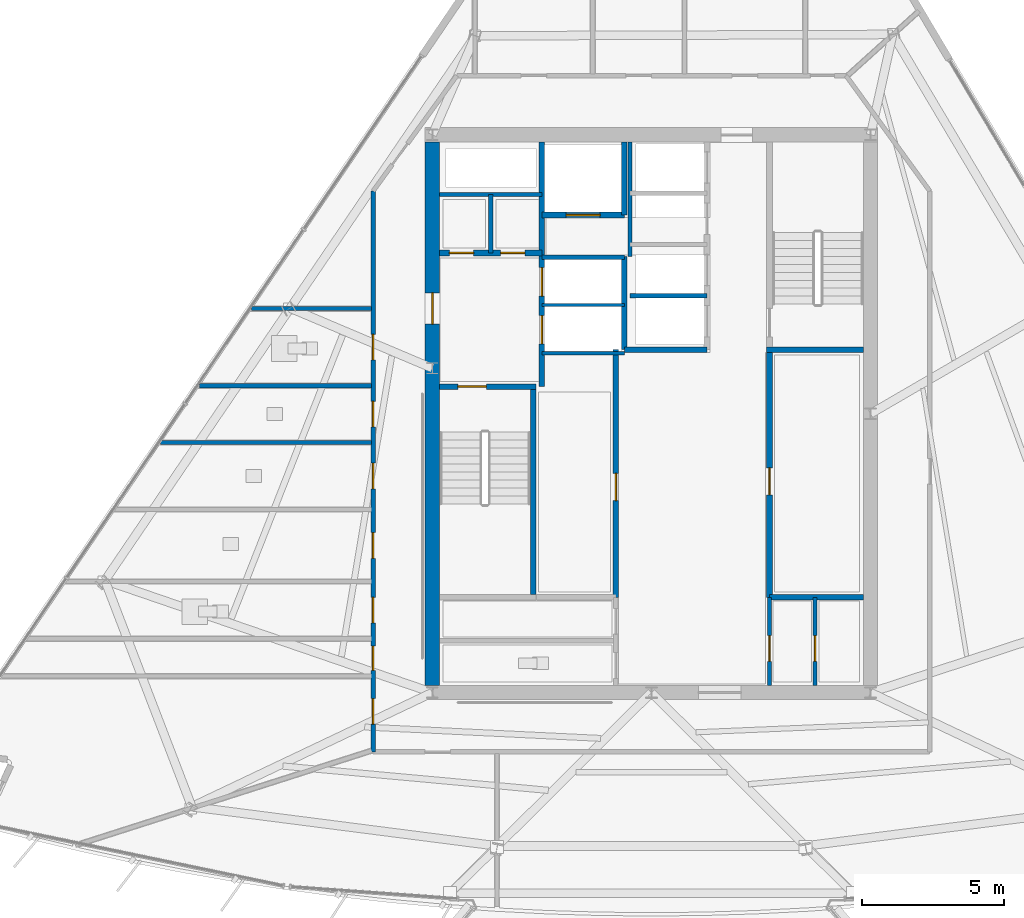
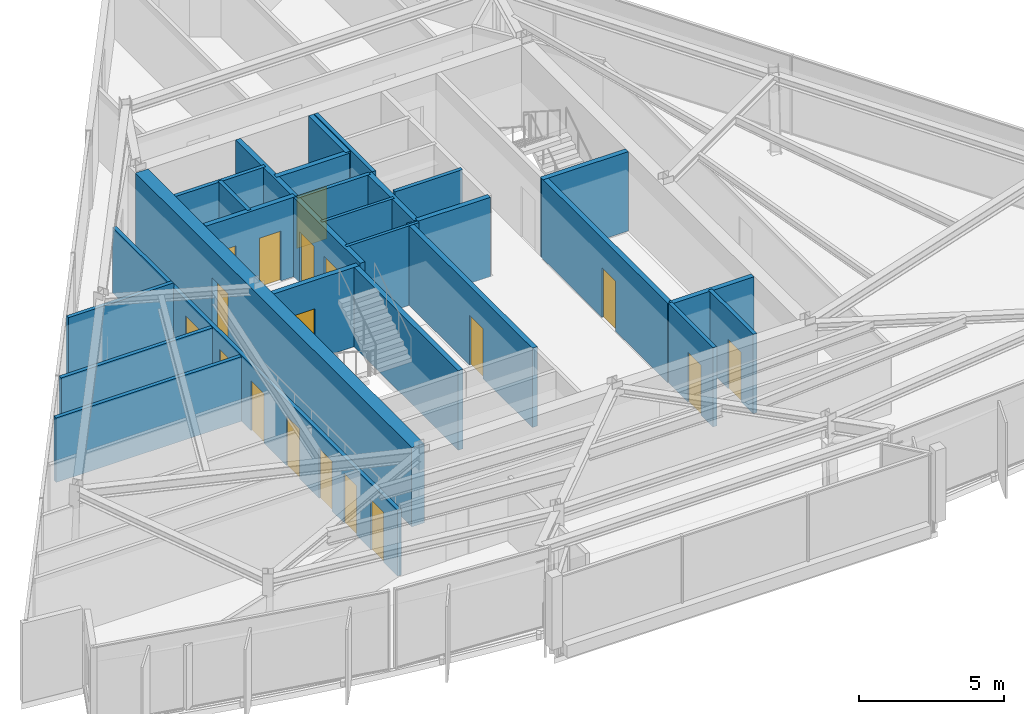
# One storey, part 8 of 14: 26 walls, 18 doors, 18 openings.
"""IFC4 building model written with IfcOpenShell, lengths in metres."""

from ifc_helpers import new_model, si_unit, direction, frame, frame_2d, origin, place, context, subcontext, project, spatial, rectangle, extrude, material, layer, layer_set, type_object, element, fill, save


model = new_model("IFC4")

# Units and contexts
model_context = context("Model", 3, precision=1e-05, world=origin(), true_north=direction((0.0, 1.0)))
body_context = subcontext(model_context, "Body", "Model", "MODEL_VIEW")
ifc_project = project(units=[si_unit("LENGTHUNIT", "METRE"), si_unit("AREAUNIT", "SQUARE_METRE"), si_unit("VOLUMEUNIT", "CUBIC_METRE"), si_unit("PLANEANGLEUNIT", "RADIAN"), si_unit("MASSUNIT", "GRAM", prefix="KILO")], contexts=[model_context])

# Site, building, storey
site_placement = place(None, origin())
site = spatial("IfcSite", under=ifc_project, at=site_placement, CompositionType="ELEMENT")
building_placement = place(site_placement, origin())
building = spatial("IfcBuilding", under=site, at=building_placement, Name="Savorim Split Tower", CompositionType="ELEMENT")
storey_placement = place(building_placement, frame((0.0, 0.0, 234.300048828125)))
storey = spatial("IfcBuildingStorey", under=building, at=storey_placement, Name="L62", CompositionType="ELEMENT", Elevation=234.300048828125)

# Wall, opening, door
ifc_material_1 = material(Name="Concrete C60/75", Category="concrete")
ifc_layer_1 = layer(ifc_material_1, 0.5)
ifc_layer_set_1 = layer_set([ifc_layer_1], Name="WAL-COR-SH500")
wall_type_1 = type_object("IfcWallType", Name="WAL-COR-SH500", PredefinedType="SHEAR", material=ifc_layer_set_1)
wall_1_placement = place(storey_placement, frame((-7.699951171875, -9.14990234375, 0.0), z_axis=(0.0, 0.0, 1.0), x_axis=(0.0, 1.0, 0.0)))
wall_1 = element("IfcWall", 1, at=wall_1_placement, inside=storey, type_object=wall_type_1, Name="L62 Offset Core West Shear Wall", PredefinedType="SHEAR", context=body_context, shape_type="SweptSolid", body=[
    extrude(rectangle(XDim=19.099853515625, YDim=0.5, at=frame_2d((9.5498046875, 0.0))), origin(), (0.0, 0.0, 1.0), 3.349853515625),
])
opening_1_placement = place(wall_1_placement, frame((12.699951171875, 0.0, 0.0)))
opening_1 = element("IfcOpeningElement", 2, at=opening_1_placement, cuts=wall_1, Name="Opening DI-03", PredefinedType="OPENING", context=body_context, shape_type="SweptSolid", body=[
    extrude(rectangle(XDim=1.10009765625, YDim=2.14990234375, at=frame_2d((0.550048828125, 1.074951171875))), frame((0.0, 0.260009765625, 0.0), z_axis=(0.0, -1.0, 0.0), x_axis=(1.0, 0.0, 0.0)), (0.0, 0.0, 1.0), 0.52001953125),
])
ifc_material_2 = material(Name="Timber Fire Door Leaf", Category="wood")
door_type_1 = type_object("IfcDoorType", Name="DOR-FIR-1100", OperationType="NOTDEFINED", PredefinedType="DOOR", material=ifc_material_2)
door_1_placement = place(opening_1_placement, origin())
door_1 = element("IfcDoor", 3, at=door_1_placement, inside=storey, type_object=door_type_1, Name="DOR-L62-COR-FFLOB - L62 Firefighting Lobby Corridor Door", OperationType="SINGLE_SWING_RIGHT", OverallHeight=2.14990234375, OverallWidth=1.10009765625, PredefinedType="DOOR", context=body_context, shape_type="SweptSolid", body=[
    extrude(rectangle(XDim=1.10009765625, YDim=2.14990234375, at=frame_2d((0.550048828125, 1.074951171875))), frame((0.0, 0.02490234375, 0.0), z_axis=(0.0, -1.0, 0.0), x_axis=(1.0, 0.0, 0.0)), (0.0, 0.0, 1.0), 0.050048828125),
])
fill(opening_1, door_1)

ifc_material_3 = material(Name="Concrete C50/60", Category="concrete")
ifc_layer_2 = layer(ifc_material_3, 0.199951171875)
ifc_layer_set_2 = layer_set([ifc_layer_2], Name="WAL-INT-RC200")
wall_type_2 = type_object("IfcWallType", Name="WAL-INT-RC200", PredefinedType="SOLIDWALL", material=ifc_layer_set_2)
wall_2_placement = place(storey_placement, frame((-7.449951171875, 1.35009765625, 0.0), z_axis=(0.0, 0.0, 1.0), x_axis=(1.0, 0.0, 0.0)))
wall_2 = element("IfcWall", 4, at=wall_2_placement, inside=storey, type_object=wall_type_2, Name="L62 Structural Shaft Wall W-L62-CR01", PredefinedType="SOLIDWALL", context=body_context, shape_type="SweptSolid", body=[
    extrude(rectangle(XDim=3.39990234375, YDim=0.199951171875, at=frame_2d((1.699951171875, 0.0))), origin(), (0.0, 0.0, 1.0), 3.349853515625),
])
opening_2_placement = place(wall_2_placement, frame((0.64990234375, 0.0, 0.0)))
opening_2 = element("IfcOpeningElement", 5, at=opening_2_placement, cuts=wall_2, Name="Opening DI-04", PredefinedType="OPENING", context=body_context, shape_type="SweptSolid", body=[
    extrude(rectangle(XDim=1.0, YDim=2.14990234375, at=frame_2d((0.5, 1.074951171875))), frame((0.0, 0.10986328125, 0.0), z_axis=(0.0, -1.0, 0.0), x_axis=(1.0, 0.0, 0.0)), (0.0, 0.0, 1.0), 0.219970703125),
])
door_type_2 = type_object("IfcDoorType", Name="DOR-FIR-1000", OperationType="NOTDEFINED", PredefinedType="DOOR", material=ifc_material_2)
door_2_placement = place(opening_2_placement, origin())
door_2 = element("IfcDoor", 6, at=door_2_placement, inside=storey, type_object=door_type_2, Name="DR-L62-ST1 - L62 Stair ST-1 Enclosure Door", OperationType="SINGLE_SWING_LEFT", OverallHeight=2.14990234375, OverallWidth=1.0, PredefinedType="DOOR", context=body_context, shape_type="SweptSolid", body=[
    extrude(rectangle(XDim=1.0, YDim=2.14990234375, at=frame_2d((0.5, 1.074951171875))), frame((0.0, 0.02490234375, 0.0), z_axis=(0.0, -1.0, 0.0), x_axis=(1.0, 0.0, 0.0)), (0.0, 0.0, 1.0), 0.050048828125),
])
fill(opening_2, door_2)

# Wall
wall_3_placement = place(storey_placement, frame((-4.14990234375, -5.949951171875, 0.0), z_axis=(0.0, 0.0, 1.0), x_axis=(0.0, 1.0, 0.0)))
element("IfcWall", 7, at=wall_3_placement, inside=storey, type_object=wall_type_2, Name="L62 Structural Shaft Wall W-L62-CR02", PredefinedType="SOLIDWALL", context=body_context, shape_type="SweptSolid", body=[
    extrude(rectangle(XDim=7.199951171875, YDim=0.199951171875, at=frame_2d((3.60009765625, 0.0))), origin(), (0.0, 0.0, 1.0), 3.349853515625),
])

# Wall, openings, doors
wall_4_placement = place(storey_placement, frame((-3.85009765625, 1.35009765625, 0.0), z_axis=(0.0, 0.0, 1.0), x_axis=(0.0, 1.0, 0.0)))
wall_4 = element("IfcWall", 8, at=wall_4_placement, inside=storey, type_object=wall_type_2, Name="L62 Partition W-L62-CR03", PredefinedType="SOLIDWALL", context=body_context, shape_type="SweptSolid", body=[
    extrude(rectangle(XDim=8.594970703125, YDim=0.199951171875, at=frame_2d((4.29736328125, 0.0))), origin(), (0.0, 0.0, 1.0), 3.349853515625),
])
opening_3_placement = place(wall_4_placement, frame((1.5, 0.0, 0.0)))
opening_3 = element("IfcOpeningElement", 9, at=opening_3_placement, cuts=wall_4, Name="Opening LD-FFL", PredefinedType="OPENING", context=body_context, shape_type="SweptSolid", body=[
    extrude(rectangle(XDim=1.0, YDim=2.14990234375, at=frame_2d((0.5, 1.074951171875))), frame((0.0, 0.10986328125, 0.0), z_axis=(0.0, -1.0, 0.0), x_axis=(1.0, 0.0, 0.0)), (0.0, 0.0, 1.0), 0.219970703125),
])
opening_4_placement = place(wall_4_placement, frame((3.179931640625, 0.0, 0.0)))
opening_4 = element("IfcOpeningElement", 10, at=opening_4_placement, cuts=wall_4, Name="Opening LD-FFL", PredefinedType="OPENING", context=body_context, shape_type="SweptSolid", body=[
    extrude(rectangle(XDim=1.0, YDim=2.14990234375, at=frame_2d((0.5, 1.074951171875))), frame((0.0, 0.10986328125, 0.0), z_axis=(0.0, -1.0, 0.0), x_axis=(1.0, 0.0, 0.0)), (0.0, 0.0, 1.0), 0.219970703125),
])
ifc_material_4 = material(Name="Charcoal Anodised Aluminium", Category="aluminium")
door_type_3 = type_object("IfcDoorType", Name="DOR-SLD-LD1000", OperationType="NOTDEFINED", PredefinedType="DOOR", material=ifc_material_4)
door_3_placement = place(opening_3_placement, origin())
door_3 = element("IfcDoor", 11, at=door_3_placement, inside=storey, type_object=door_type_3, Name="DR-L62-LD-FFL1 - L62 Firefighting Lift FFL-1 Sliding Landing Door", OperationType="DOUBLE_DOOR_SLIDING", OverallHeight=2.14990234375, OverallWidth=1.0, PredefinedType="DOOR", context=body_context, shape_type="SweptSolid", body=[
    extrude(rectangle(XDim=1.0, YDim=2.14990234375, at=frame_2d((0.5, 1.074951171875))), frame((0.0, 0.02490234375, 0.0), z_axis=(0.0, -1.0, 0.0), x_axis=(1.0, 0.0, 0.0)), (0.0, 0.0, 1.0), 0.050048828125),
])
fill(opening_3, door_3)
door_4_placement = place(opening_4_placement, origin())
door_4 = element("IfcDoor", 12, at=door_4_placement, inside=storey, type_object=door_type_3, Name="DR-L62-LD-FFL2 - L62 Firefighting Lift FFL-2 Sliding Landing Door", OperationType="DOUBLE_DOOR_SLIDING", OverallHeight=2.14990234375, OverallWidth=1.0, PredefinedType="DOOR", context=body_context, shape_type="SweptSolid", body=[
    extrude(rectangle(XDim=1.0, YDim=2.14990234375, at=frame_2d((0.5, 1.074951171875))), frame((0.0, 0.02490234375, 0.0), z_axis=(0.0, -1.0, 0.0), x_axis=(1.0, 0.0, 0.0)), (0.0, 0.0, 1.0), 0.050048828125),
])
fill(opening_4, door_4)

wall_5_placement = place(storey_placement, frame((-7.445068359375, 6.050048828125, 0.0), z_axis=(0.0, 0.0, 1.0), x_axis=(1.0, 0.0, 0.0)))
wall_5 = element("IfcWall", 13, at=wall_5_placement, inside=storey, type_object=wall_type_2, Name="L62 Partition W-L62-CR04", PredefinedType="SOLIDWALL", context=body_context, shape_type="SweptSolid", body=[
    extrude(rectangle(XDim=3.594970703125, YDim=0.199951171875, at=frame_2d((1.79736328125, 0.0))), origin(), (0.0, 0.0, 1.0), 3.349853515625),
])
opening_5_placement = place(wall_5_placement, frame((0.344970703125, 0.0, 0.0)))
opening_5 = element("IfcOpeningElement", 14, at=opening_5_placement, cuts=wall_5, Name="Opening DI-12", PredefinedType="OPENING", context=body_context, shape_type="SweptSolid", body=[
    extrude(rectangle(XDim=0.85009765625, YDim=2.10009765625, at=frame_2d((0.425048828125, 1.050048828125))), frame((0.0, 0.10986328125, 0.0), z_axis=(0.0, -1.0, 0.0), x_axis=(1.0, 0.0, 0.0)), (0.0, 0.0, 1.0), 0.219970703125),
])
opening_6_placement = place(wall_5_placement, frame((2.14501953125, 0.0, 0.0)))
opening_6 = element("IfcOpeningElement", 15, at=opening_6_placement, cuts=wall_5, Name="Opening DI-12", PredefinedType="OPENING", context=body_context, shape_type="SweptSolid", body=[
    extrude(rectangle(XDim=0.85009765625, YDim=2.10009765625, at=frame_2d((0.425048828125, 1.050048828125))), frame((0.0, 0.10986328125, 0.0), z_axis=(0.0, -1.0, 0.0), x_axis=(1.0, 0.0, 0.0)), (0.0, 0.0, 1.0), 0.219970703125),
])
ifc_material_5 = material(Name="Galvanised Painted Steel Balustrade", Category="steel")
door_type_4 = type_object("IfcDoorType", Name="DOR-RIS-850", OperationType="NOTDEFINED", PredefinedType="DOOR", material=ifc_material_5)
door_5_placement = place(opening_5_placement, origin())
door_5 = element("IfcDoor", 16, at=door_5_placement, inside=storey, type_object=door_type_4, Name="DR-L62-ELR - L62 Electrical Riser Access Door", OperationType="SINGLE_SWING_RIGHT", OverallHeight=2.10009765625, OverallWidth=0.85009765625, PredefinedType="DOOR", context=body_context, shape_type="SweptSolid", body=[
    extrude(rectangle(XDim=0.85009765625, YDim=2.10009765625, at=frame_2d((0.425048828125, 1.050048828125))), frame((0.0, 0.02490234375, 0.0), z_axis=(0.0, -1.0, 0.0), x_axis=(1.0, 0.0, 0.0)), (0.0, 0.0, 1.0), 0.050048828125),
])
fill(opening_5, door_5)
door_6_placement = place(opening_6_placement, origin())
door_6 = element("IfcDoor", 17, at=door_6_placement, inside=storey, type_object=door_type_4, Name="DR-L62-TLR - L62 Telecom Riser Access Door", OperationType="SINGLE_SWING_LEFT", OverallHeight=2.10009765625, OverallWidth=0.85009765625, PredefinedType="DOOR", context=body_context, shape_type="SweptSolid", body=[
    extrude(rectangle(XDim=0.85009765625, YDim=2.10009765625, at=frame_2d((0.425048828125, 1.050048828125))), frame((0.0, 0.02490234375, 0.0), z_axis=(0.0, -1.0, 0.0), x_axis=(1.0, 0.0, 0.0)), (0.0, 0.0, 1.0), 0.050048828125),
])
fill(opening_6, door_6)

# Walls
wall_6_placement = place(storey_placement, frame((4.050048828125, 2.64990234375, 0.0), z_axis=(0.0, 0.0, 1.0), x_axis=(1.0, 0.0, 0.0)))
element("IfcWall", 18, at=wall_6_placement, inside=storey, type_object=wall_type_2, Name="L62 Structural Shaft Wall W-L62-CR08", PredefinedType="SOLIDWALL", context=body_context, shape_type="SweptSolid", body=[
    extrude(rectangle(XDim=3.39990234375, YDim=0.199951171875, at=frame_2d((1.699951171875, 0.0))), origin(), (0.0, 0.0, 1.0), 3.349853515625),
])
wall_7_placement = place(storey_placement, frame((-0.949951171875, 2.64990234375, 0.0), z_axis=(0.0, 0.0, 1.0), x_axis=(0.0, 1.0, 0.0)))
element("IfcWall", 19, at=wall_7_placement, inside=storey, type_object=wall_type_2, Name="L62 Partition W-L62-FFLW", PredefinedType="SOLIDWALL", context=body_context, shape_type="SweptSolid", body=[
    extrude(rectangle(XDim=3.27001953125, YDim=0.199951171875, at=frame_2d((1.635009765625, 0.0))), origin(), (0.0, 0.0, 1.0), 3.349853515625),
])

# Wall, opening, door
wall_8_placement = place(storey_placement, frame((-3.85009765625, 7.3798828125, 0.0), z_axis=(0.0, 0.0, 1.0), x_axis=(1.0, 0.0, 0.0)))
wall_8 = element("IfcWall", 20, at=wall_8_placement, inside=storey, type_object=wall_type_2, Name="L62 Partition W-L62-SVLS", PredefinedType="SOLIDWALL", context=body_context, shape_type="SweptSolid", body=[
    extrude(rectangle(XDim=2.900146484375, YDim=0.199951171875, at=frame_2d((1.4501953125, 0.0))), origin(), (0.0, 0.0, 1.0), 3.349853515625),
])
opening_7_placement = place(wall_8_placement, frame((0.85009765625, 0.0, 0.0)))
opening_7 = element("IfcOpeningElement", 21, at=opening_7_placement, cuts=wall_8, Name="Opening LD-SV", PredefinedType="OPENING", context=body_context, shape_type="SweptSolid", body=[
    extrude(rectangle(XDim=1.199951171875, YDim=2.199951171875, at=frame_2d((0.60009765625, 1.10009765625))), frame((0.0, 0.10986328125, 0.0), z_axis=(0.0, -1.0, 0.0), x_axis=(1.0, 0.0, 0.0)), (0.0, 0.0, 1.0), 0.219970703125),
])
door_type_5 = type_object("IfcDoorType", Name="DOR-SLD-SV1200", OperationType="NOTDEFINED", PredefinedType="DOOR", material=ifc_material_4)
door_7_placement = place(opening_7_placement, origin())
door_7 = element("IfcDoor", 22, at=door_7_placement, inside=storey, type_object=door_type_5, Name="DR-L62-LD-SVL1 - L62 Service Lift SVL-1 Sliding Landing Door", OperationType="DOUBLE_DOOR_SLIDING", OverallHeight=2.199951171875, OverallWidth=1.199951171875, PredefinedType="DOOR", context=body_context, shape_type="SweptSolid", body=[
    extrude(rectangle(XDim=1.199951171875, YDim=2.199951171875, at=frame_2d((0.60009765625, 1.10009765625))), frame((0.0, 0.02490234375, 0.0), z_axis=(0.0, -1.0, 0.0), x_axis=(1.0, 0.0, 0.0)), (0.0, 0.0, 1.0), 0.050048828125),
])
fill(opening_7, door_7)

# Wall
wall_9_placement = place(storey_placement, frame((-0.949951171875, 7.3798828125, 0.0), z_axis=(0.0, 0.0, 1.0), x_axis=(0.0, 1.0, 0.0)))
element("IfcWall", 23, at=wall_9_placement, inside=storey, type_object=wall_type_2, Name="L62 Partition W-L62-SVLE", PredefinedType="SOLIDWALL", context=body_context, shape_type="SweptSolid", body=[
    extrude(rectangle(XDim=2.565185546875, YDim=0.199951171875, at=frame_2d((1.28271484375, 0.0))), origin(), (0.0, 0.0, 1.0), 3.349853515625),
])

# Wall, opening, door
wall_10_placement = place(storey_placement, frame((4.14990234375, -6.050048828125, 0.0), z_axis=(0.0, 0.0, 1.0), x_axis=(0.0, 1.0, 0.0)))
wall_10 = element("IfcWall", 24, at=wall_10_placement, inside=storey, type_object=wall_type_2, Name="L62 Partition W-L62-B1FRONT", PredefinedType="SOLIDWALL", context=body_context, shape_type="SweptSolid", body=[
    extrude(rectangle(XDim=8.699951171875, YDim=0.199951171875, at=frame_2d((4.35009765625, 0.0))), origin(), (0.0, 0.0, 1.0), 3.349853515625),
])
opening_8_placement = place(wall_10_placement, frame((3.60009765625, 0.0, 0.0)))
opening_8 = element("IfcOpeningElement", 25, at=opening_8_placement, cuts=wall_10, Name="Opening DI-05", PredefinedType="OPENING", context=body_context, shape_type="SweptSolid", body=[
    extrude(rectangle(XDim=0.949951171875, YDim=2.10009765625, at=frame_2d((0.47509765625, 1.050048828125))), frame((0.0, 0.10986328125, 0.0), z_axis=(0.0, -1.0, 0.0), x_axis=(1.0, 0.0, 0.0)), (0.0, 0.0, 1.0), 0.219970703125),
])
door_type_6 = type_object("IfcDoorType", Name="DOR-FIR-950", OperationType="NOTDEFINED", PredefinedType="DOOR", material=ifc_material_2)
door_8_placement = place(opening_8_placement, origin())
door_8 = element("IfcDoor", 26, at=door_8_placement, inside=storey, type_object=door_type_6, Name="DR-L62-LV7B1 - L62 Shared Pantry and Linen Room Door", OperationType="SINGLE_SWING_RIGHT", OverallHeight=2.10009765625, OverallWidth=0.949951171875, PredefinedType="DOOR", context=body_context, shape_type="SweptSolid", body=[
    extrude(rectangle(XDim=0.949951171875, YDim=2.10009765625, at=frame_2d((0.47509765625, 1.050048828125))), frame((0.0, 0.02490234375, 0.0), z_axis=(0.0, -1.0, 0.0), x_axis=(1.0, 0.0, 0.0)), (0.0, 0.0, 1.0), 0.050048828125),
])
fill(opening_8, door_8)

wall_11_placement = place(storey_placement, frame((-1.25, -6.050048828125, 0.0), z_axis=(0.0, 0.0, 1.0), x_axis=(0.0, 1.0, 0.0)))
wall_11 = element("IfcWall", 27, at=wall_11_placement, inside=storey, type_object=wall_type_2, Name="L62 Partition W-L62-B2FRONT", PredefinedType="SOLIDWALL", context=body_context, shape_type="SweptSolid", body=[
    extrude(rectangle(XDim=8.699951171875, YDim=0.199951171875, at=frame_2d((4.35009765625, 0.0))), origin(), (0.0, 0.0, 1.0), 3.349853515625),
])
opening_9_placement = place(wall_11_placement, frame((3.39990234375, 0.0, 0.0)))
opening_9 = element("IfcOpeningElement", 28, at=opening_9_placement, cuts=wall_11, Name="Opening DI-05", PredefinedType="OPENING", context=body_context, shape_type="SweptSolid", body=[
    extrude(rectangle(XDim=0.949951171875, YDim=2.10009765625, at=frame_2d((0.47509765625, 1.050048828125))), frame((0.0, 0.10986328125, 0.0), z_axis=(0.0, -1.0, 0.0), x_axis=(1.0, 0.0, 0.0)), (0.0, 0.0, 1.0), 0.219970703125),
])
door_9_placement = place(opening_9_placement, origin())
door_9 = element("IfcDoor", 29, at=door_9_placement, inside=storey, type_object=door_type_6, Name="DR-L62-LV7B2 - L62 Housekeeping and Parcel Room Door", OperationType="SINGLE_SWING_LEFT", OverallHeight=2.10009765625, OverallWidth=0.949951171875, PredefinedType="DOOR", context=body_context, shape_type="SweptSolid", body=[
    extrude(rectangle(XDim=0.949951171875, YDim=2.10009765625, at=frame_2d((0.47509765625, 1.050048828125))), frame((0.0, 0.02490234375, 0.0), z_axis=(0.0, -1.0, 0.0), x_axis=(1.0, 0.0, 0.0)), (0.0, 0.0, 1.0), 0.050048828125),
])
fill(opening_9, door_9)

# Walls
wall_12_placement = place(storey_placement, frame((-0.949951171875, 2.64990234375, 0.0), z_axis=(0.0, 0.0, 1.0), x_axis=(1.0, 0.0, 0.0)))
element("IfcWall", 30, at=wall_12_placement, inside=storey, type_object=wall_type_2, Name="L62 Partition W-L62-B3SOUTH", PredefinedType="SOLIDWALL", context=body_context, shape_type="SweptSolid", body=[
    extrude(rectangle(XDim=2.89990234375, YDim=0.199951171875, at=frame_2d((1.449951171875, 0.0))), origin(), (0.0, 0.0, 1.0), 3.349853515625),
])
wall_13_placement = place(storey_placement, frame((4.14990234375, -6.050048828125, 0.0), z_axis=(0.0, 0.0, 1.0), x_axis=(1.0, 0.0, 0.0)))
element("IfcWall", 31, at=wall_13_placement, inside=storey, type_object=wall_type_2, Name="L62 Partition W-L62-KSEP-E", PredefinedType="SOLIDWALL", context=body_context, shape_type="SweptSolid", body=[
    extrude(rectangle(XDim=3.295166015625, YDim=0.199951171875, at=frame_2d((1.6474609375, 0.0))), origin(), (0.0, 0.0, 1.0), 3.349853515625),
])
ifc_material_6 = material(Name="Acoustic Gypsum Partition Board")
ifc_layer_3 = layer(ifc_material_6, 0.1201171875)
ifc_layer_set_3 = layer_set([ifc_layer_3], Name="WAL-PAR-120")
wall_type_3 = type_object("IfcWallType", Name="WAL-PAR-120", PredefinedType="PARTITIONING", material=ifc_layer_set_3)
for number, where, z_axis, x_axis, name in (
    (32, (-3.85009765625, 2.52001953125, 0.0), (0.0, 0.0, 1.0), (1.0, 0.0, 0.0), "L62 Partition W-L62-FFLD0"),
    (33, (-3.85009765625, 4.219970703125, 0.0), (0.0, 0.0, 1.0), (1.0, 0.0, 0.0), "L62 Partition W-L62-FFLD1"),
):
    element("IfcWall", number, at=place(storey_placement, frame(where, z_axis=z_axis, x_axis=x_axis)), inside=storey, type_object=wall_type_3, Name=name, PredefinedType="PARTITIONING", context=body_context, shape_type="SweptSolid", body=[
        extrude(rectangle(XDim=2.900146484375, YDim=0.1201171875, at=frame_2d((1.4501953125, 0.0))), origin(), (0.0, 0.0, 1.0), 3.349853515625),
    ])
ifc_layer_4 = layer(ifc_material_6, 0.14990234375)
ifc_layer_set_4 = layer_set([ifc_layer_4], Name="WAL-PAR-150")
wall_type_4 = type_object("IfcWallType", Name="WAL-PAR-150", PredefinedType="PARTITIONING", material=ifc_layer_set_4)
wall_14_placement = place(storey_placement, frame((-7.445068359375, 8.10009765625, 0.0), z_axis=(0.0, 0.0, 1.0), x_axis=(1.0, 0.0, 0.0)))
element("IfcWall", 34, at=wall_14_placement, inside=storey, type_object=wall_type_4, Name="L62 Partition W-L62-CR05", PredefinedType="PARTITIONING", context=body_context, shape_type="SweptSolid", body=[
    extrude(rectangle(XDim=3.594970703125, YDim=0.14990234375, at=frame_2d((1.79736328125, 0.0))), origin(), (0.0, 0.0, 1.0), 3.349853515625),
])
wall_15_placement = place(storey_placement, frame((-5.64990234375, 6.050048828125, 0.0), z_axis=(0.0, 0.0, 1.0), x_axis=(0.0, 1.0, 0.0)))
element("IfcWall", 35, at=wall_15_placement, inside=storey, type_object=wall_type_4, Name="L62 Partition W-L62-CR06", PredefinedType="PARTITIONING", context=body_context, shape_type="SweptSolid", body=[
    extrude(rectangle(XDim=2.050048828125, YDim=0.14990234375, at=frame_2d((1.02490234375, 0.0))), origin(), (0.0, 0.0, 1.0), 3.349853515625),
])
wall_16_placement = place(storey_placement, frame((-3.85009765625, 5.89990234375, 0.0), z_axis=(0.0, 0.0, 1.0), x_axis=(1.0, 0.0, 0.0)))
element("IfcWall", 36, at=wall_16_placement, inside=storey, type_object=wall_type_4, Name="L62 Partition W-L62-FFLD2", PredefinedType="PARTITIONING", context=body_context, shape_type="SweptSolid", body=[
    extrude(rectangle(XDim=2.900146484375, YDim=0.14990234375, at=frame_2d((1.4501953125, 0.0))), origin(), (0.0, 0.0, 1.0), 3.349853515625),
])
wall_17_placement = place(storey_placement, frame((-0.75, 5.919921875, 0.0), z_axis=(0.0, 0.0, 1.0), x_axis=(0.0, 1.0, 0.0)))
element("IfcWall", 37, at=wall_17_placement, inside=storey, type_object=wall_type_4, Name="L62 Partition W-L62-B3WEST", PredefinedType="PARTITIONING", context=body_context, shape_type="SweptSolid", body=[
    extrude(rectangle(XDim=4.025146484375, YDim=0.14990234375, at=frame_2d((2.0126953125, 0.0))), origin(), (0.0, 0.0, 1.0), 3.349853515625),
])
wall_18_placement = place(storey_placement, frame((-0.75, 4.550048828125, 0.0), z_axis=(0.0, 0.0, 1.0), x_axis=(1.0, 0.0, 0.0)))
element("IfcWall", 38, at=wall_18_placement, inside=storey, type_object=wall_type_4, Name="L62 Partition W-L62-B3DIV1", PredefinedType="PARTITIONING", context=body_context, shape_type="SweptSolid", body=[
    extrude(rectangle(XDim=2.699951171875, YDim=0.14990234375, at=frame_2d((1.35009765625, 0.0))), origin(), (0.0, 0.0, 1.0), 3.349853515625),
])

# Wall, opening, door
wall_19_placement = place(storey_placement, frame((4.14990234375, -9.14501953125, 0.0), z_axis=(0.0, 0.0, 1.0), x_axis=(0.0, 1.0, 0.0)))
wall_19 = element("IfcWall", 39, at=wall_19_placement, inside=storey, type_object=wall_type_4, Name="L62 Partition W-L62-KLOB-E", PredefinedType="PARTITIONING", context=body_context, shape_type="SweptSolid", body=[
    extrude(rectangle(XDim=3.094970703125, YDim=0.14990234375, at=frame_2d((1.54736328125, 0.0))), origin(), (0.0, 0.0, 1.0), 3.349853515625),
])
opening_10_placement = place(wall_19_placement, frame((0.844970703125, 0.0, 0.0)))
opening_10 = element("IfcOpeningElement", 40, at=opening_10_placement, cuts=wall_19, Name="Opening DI-06", PredefinedType="OPENING", context=body_context, shape_type="SweptSolid", body=[
    extrude(rectangle(XDim=0.89990234375, YDim=2.10009765625, at=frame_2d((0.449951171875, 1.050048828125))), frame((0.0, 0.0849609375, 0.0), z_axis=(0.0, -1.0, 0.0), x_axis=(1.0, 0.0, 0.0)), (0.0, 0.0, 1.0), 0.169921875),
])
door_type_7 = type_object("IfcDoorType", Name="DOR-FIR-900", OperationType="NOTDEFINED", PredefinedType="DOOR", material=ifc_material_2)
door_10_placement = place(opening_10_placement, origin())
door_10 = element("IfcDoor", 41, at=door_10_placement, inside=storey, type_object=door_type_7, Name="DR-L62-K2PAN - L62 Vending Pantry Door", OperationType="SINGLE_SWING_LEFT", OverallHeight=2.10009765625, OverallWidth=0.89990234375, PredefinedType="DOOR", context=body_context, shape_type="SweptSolid", body=[
    extrude(rectangle(XDim=0.89990234375, YDim=2.10009765625, at=frame_2d((0.449951171875, 1.050048828125))), frame((0.0, 0.02490234375, 0.0), z_axis=(0.0, -1.0, 0.0), x_axis=(1.0, 0.0, 0.0)), (0.0, 0.0, 1.0), 0.050048828125),
])
fill(opening_10, door_10)

wall_20_placement = place(storey_placement, frame((5.75, -9.14501953125, 0.0), z_axis=(0.0, 0.0, 1.0), x_axis=(0.0, 1.0, 0.0)))
wall_20 = element("IfcWall", 42, at=wall_20_placement, inside=storey, type_object=wall_type_4, Name="L62 Partition W-L62-K2E", PredefinedType="PARTITIONING", context=body_context, shape_type="SweptSolid", body=[
    extrude(rectangle(XDim=3.094970703125, YDim=0.14990234375, at=frame_2d((1.54736328125, 0.0))), origin(), (0.0, 0.0, 1.0), 3.349853515625),
])
opening_11_placement = place(wall_20_placement, frame((0.844970703125, 0.0, 0.0)))
opening_11 = element("IfcOpeningElement", 43, at=opening_11_placement, cuts=wall_20, Name="Opening DI-06", PredefinedType="OPENING", context=body_context, shape_type="SweptSolid", body=[
    extrude(rectangle(XDim=0.89990234375, YDim=2.10009765625, at=frame_2d((0.449951171875, 1.050048828125))), frame((0.0, 0.0849609375, 0.0), z_axis=(0.0, -1.0, 0.0), x_axis=(1.0, 0.0, 0.0)), (0.0, 0.0, 1.0), 0.169921875),
])
door_11_placement = place(opening_11_placement, origin())
door_11 = element("IfcDoor", 44, at=door_11_placement, inside=storey, type_object=door_type_7, Name="DR-L62-K2REF - L62 Recycling Room Door", OperationType="SINGLE_SWING_RIGHT", OverallHeight=2.10009765625, OverallWidth=0.89990234375, PredefinedType="DOOR", context=body_context, shape_type="SweptSolid", body=[
    extrude(rectangle(XDim=0.89990234375, YDim=2.10009765625, at=frame_2d((0.449951171875, 1.050048828125))), frame((0.0, 0.02490234375, 0.0), z_axis=(0.0, -1.0, 0.0), x_axis=(1.0, 0.0, 0.0)), (0.0, 0.0, 1.0), 0.050048828125),
])
fill(opening_11, door_11)

# Wall, openings, doors
wall_21_placement = place(storey_placement, frame((-9.780029296875, -11.47998046875, 0.0), z_axis=(0.0, 0.0, 1.0), x_axis=(0.0, 1.0, 0.0)))
wall_21 = element("IfcWall", 45, at=wall_21_placement, inside=storey, type_object=wall_type_4, Name="L62 Partition W-L62-COR-01", PredefinedType="PARTITIONING", context=body_context, shape_type="SweptSolid", body=[
    extrude(rectangle(XDim=19.705810546875, YDim=0.14990234375, at=frame_2d((9.85302734375, 0.0))), origin(), (0.0, 0.0, 1.0), 2.77490234375),
])
opening_12_placement = place(wall_21_placement, frame((11.4169921875, 0.0, 0.0)))
opening_12 = element("IfcOpeningElement", 46, at=opening_12_placement, cuts=wall_21, Name="Opening DI-06", PredefinedType="OPENING", context=body_context, shape_type="SweptSolid", body=[
    extrude(rectangle(XDim=0.89990234375, YDim=2.10009765625, at=frame_2d((0.449951171875, 1.050048828125))), frame((0.0, 0.0849609375, 0.0), z_axis=(0.0, -1.0, 0.0), x_axis=(1.0, 0.0, 0.0)), (0.0, 0.0, 1.0), 0.169921875),
])
opening_13_placement = place(wall_21_placement, frame((9.239990234375, 0.0, 0.0)))
opening_13 = element("IfcOpeningElement", 47, at=opening_13_placement, cuts=wall_21, Name="Opening DI-06", PredefinedType="OPENING", context=body_context, shape_type="SweptSolid", body=[
    extrude(rectangle(XDim=0.89990234375, YDim=2.10009765625, at=frame_2d((0.449951171875, 1.050048828125))), frame((0.0, 0.0849609375, 0.0), z_axis=(0.0, -1.0, 0.0), x_axis=(1.0, 0.0, 0.0)), (0.0, 0.0, 1.0), 0.169921875),
])
opening_14_placement = place(wall_21_placement, frame((6.79833984375, 0.0, 0.0)))
opening_14 = element("IfcOpeningElement", 48, at=opening_14_placement, cuts=wall_21, Name="Opening DI-06", PredefinedType="OPENING", context=body_context, shape_type="SweptSolid", body=[
    extrude(rectangle(XDim=0.89990234375, YDim=2.10009765625, at=frame_2d((0.449951171875, 1.050048828125))), frame((0.0, 0.0849609375, 0.0), z_axis=(0.0, -1.0, 0.0), x_axis=(1.0, 0.0, 0.0)), (0.0, 0.0, 1.0), 0.169921875),
])
opening_15_placement = place(wall_21_placement, frame((4.5263671875, 0.0, 0.0)))
opening_15 = element("IfcOpeningElement", 49, at=opening_15_placement, cuts=wall_21, Name="Opening DI-11", PredefinedType="OPENING", context=body_context, shape_type="SweptSolid", body=[
    extrude(rectangle(XDim=0.89990234375, YDim=2.10009765625, at=frame_2d((0.449951171875, 1.050048828125))), frame((0.0, 0.0849609375, 0.0), z_axis=(0.0, -1.0, 0.0), x_axis=(1.0, 0.0, 0.0)), (0.0, 0.0, 1.0), 0.169921875),
])
opening_16_placement = place(wall_21_placement, frame((2.8642578125, 0.0, 0.0)))
opening_16 = element("IfcOpeningElement", 50, at=opening_16_placement, cuts=wall_21, Name="Opening DI-13", PredefinedType="OPENING", context=body_context, shape_type="SweptSolid", body=[
    extrude(rectangle(XDim=0.85009765625, YDim=2.10009765625, at=frame_2d((0.425048828125, 1.050048828125))), frame((0.0, 0.0849609375, 0.0), z_axis=(0.0, -1.0, 0.0), x_axis=(1.0, 0.0, 0.0)), (0.0, 0.0, 1.0), 0.169921875),
])
opening_17_placement = place(wall_21_placement, frame((0.968994140625, 0.0, 0.0)))
opening_17 = element("IfcOpeningElement", 51, at=opening_17_placement, cuts=wall_21, Name="Opening DI-06", PredefinedType="OPENING", context=body_context, shape_type="SweptSolid", body=[
    extrude(rectangle(XDim=0.89990234375, YDim=2.10009765625, at=frame_2d((0.449951171875, 1.050048828125))), frame((0.0, 0.0849609375, 0.0), z_axis=(0.0, -1.0, 0.0), x_axis=(1.0, 0.0, 0.0)), (0.0, 0.0, 1.0), 0.169921875),
])
opening_18_placement = place(wall_21_placement, frame((13.7705078125, 0.0, 0.0)))
opening_18 = element("IfcOpeningElement", 52, at=opening_18_placement, cuts=wall_21, Name="Opening DI-11", PredefinedType="OPENING", context=body_context, shape_type="SweptSolid", body=[
    extrude(rectangle(XDim=0.89990234375, YDim=2.10009765625, at=frame_2d((0.449951171875, 1.050048828125))), frame((0.0, 0.0849609375, 0.0), z_axis=(0.0, -1.0, 0.0), x_axis=(1.0, 0.0, 0.0)), (0.0, 0.0, 1.0), 0.169921875),
])
door_type_8 = type_object("IfcDoorType", Name="DOR-FIR-850", OperationType="NOTDEFINED", PredefinedType="DOOR", material=ifc_material_2)
door_12_placement = place(opening_16_placement, origin())
door_12 = element("IfcDoor", 53, at=door_12_placement, inside=storey, type_object=door_type_8, Name="DR-L62-RM05 - L62 Co-Living Bedroom Entry Door", OperationType="SINGLE_SWING_RIGHT", OverallHeight=2.10009765625, OverallWidth=0.85009765625, PredefinedType="DOOR", context=body_context, shape_type="SweptSolid", body=[
    extrude(rectangle(XDim=0.85009765625, YDim=2.10009765625, at=frame_2d((0.425048828125, 1.050048828125))), frame((0.0, 0.02490234375, 0.0), z_axis=(0.0, -1.0, 0.0), x_axis=(1.0, 0.0, 0.0)), (0.0, 0.0, 1.0), 0.050048828125),
])
fill(opening_16, door_12)
door_13_placement = place(opening_12_placement, origin())
door_13 = element("IfcDoor", 54, at=door_13_placement, inside=storey, type_object=door_type_7, Name="DR-L62-RM01 - L62 Shared Kitchen Entry Door", OperationType="SINGLE_SWING_RIGHT", OverallHeight=2.10009765625, OverallWidth=0.89990234375, PredefinedType="DOOR", context=body_context, shape_type="SweptSolid", body=[
    extrude(rectangle(XDim=0.89990234375, YDim=2.10009765625, at=frame_2d((0.449951171875, 1.050048828125))), frame((0.0, 0.02490234375, 0.0), z_axis=(0.0, -1.0, 0.0), x_axis=(1.0, 0.0, 0.0)), (0.0, 0.0, 1.0), 0.050048828125),
])
fill(opening_12, door_13)
door_14_placement = place(opening_13_placement, origin())
door_14 = element("IfcDoor", 55, at=door_14_placement, inside=storey, type_object=door_type_7, Name="DR-L62-RM02 - L62 Community Laundry Room Entry Door", OperationType="SINGLE_SWING_LEFT", OverallHeight=2.10009765625, OverallWidth=0.89990234375, PredefinedType="DOOR", context=body_context, shape_type="SweptSolid", body=[
    extrude(rectangle(XDim=0.89990234375, YDim=2.10009765625, at=frame_2d((0.449951171875, 1.050048828125))), frame((0.0, 0.02490234375, 0.0), z_axis=(0.0, -1.0, 0.0), x_axis=(1.0, 0.0, 0.0)), (0.0, 0.0, 1.0), 0.050048828125),
])
fill(opening_13, door_14)
door_15_placement = place(opening_14_placement, origin())
door_15 = element("IfcDoor", 56, at=door_15_placement, inside=storey, type_object=door_type_7, Name="DR-L62-RM03 - L62 Community Laundry Room Entry Door", OperationType="SINGLE_SWING_RIGHT", OverallHeight=2.10009765625, OverallWidth=0.89990234375, PredefinedType="DOOR", context=body_context, shape_type="SweptSolid", body=[
    extrude(rectangle(XDim=0.89990234375, YDim=2.10009765625, at=frame_2d((0.449951171875, 1.050048828125))), frame((0.0, 0.02490234375, 0.0), z_axis=(0.0, -1.0, 0.0), x_axis=(1.0, 0.0, 0.0)), (0.0, 0.0, 1.0), 0.050048828125),
])
fill(opening_14, door_15)
door_16_placement = place(opening_17_placement, origin())
door_16 = element("IfcDoor", 57, at=door_16_placement, inside=storey, type_object=door_type_7, Name="DR-L62-RM06 - L62 Maker Workshop Entry Door", OperationType="SINGLE_SWING_LEFT", OverallHeight=2.10009765625, OverallWidth=0.89990234375, PredefinedType="DOOR", context=body_context, shape_type="SweptSolid", body=[
    extrude(rectangle(XDim=0.89990234375, YDim=2.10009765625, at=frame_2d((0.449951171875, 1.050048828125))), frame((0.0, 0.02490234375, 0.0), z_axis=(0.0, -1.0, 0.0), x_axis=(1.0, 0.0, 0.0)), (0.0, 0.0, 1.0), 0.050048828125),
])
fill(opening_17, door_16)
ifc_material_7 = material(Name="Oak Veneer Acoustic Door")
door_type_9 = type_object("IfcDoorType", Name="DOR-WC-900", OperationType="NOTDEFINED", PredefinedType="DOOR", material=ifc_material_7)
door_17_placement = place(opening_15_placement, origin())
door_17 = element("IfcDoor", 58, at=door_17_placement, inside=storey, type_object=door_type_9, Name="DR-L62-RM04 - L62 Shared Bathroom Entry Door", OperationType="SINGLE_SWING_LEFT", OverallHeight=2.10009765625, OverallWidth=0.89990234375, PredefinedType="DOOR", context=body_context, shape_type="SweptSolid", body=[
    extrude(rectangle(XDim=0.89990234375, YDim=2.10009765625, at=frame_2d((0.449951171875, 1.050048828125))), frame((0.0, 0.02490234375, 0.0), z_axis=(0.0, -1.0, 0.0), x_axis=(1.0, 0.0, 0.0)), (0.0, 0.0, 1.0), 0.050048828125),
])
fill(opening_15, door_17)
door_18_placement = place(opening_18_placement, origin())
door_18 = element("IfcDoor", 59, at=door_18_placement, inside=storey, type_object=door_type_9, Name="DR-L62-RM14 - L62 Shared Bathroom Entry Door", OperationType="SINGLE_SWING_LEFT", OverallHeight=2.10009765625, OverallWidth=0.89990234375, PredefinedType="DOOR", context=body_context, shape_type="SweptSolid", body=[
    extrude(rectangle(XDim=0.89990234375, YDim=2.10009765625, at=frame_2d((0.449951171875, 1.050048828125))), frame((0.0, 0.02490234375, 0.0), z_axis=(0.0, -1.0, 0.0), x_axis=(1.0, 0.0, 0.0)), (0.0, 0.0, 1.0), 0.050048828125),
])
fill(opening_18, door_18)

# Walls
wall_22_placement = place(storey_placement, frame((-9.840087890625, 4.093994140625, 0.0), z_axis=(0.0, 0.0, 1.0), x_axis=(-1.0, 0.0, 0.0)))
element("IfcWall", 60, at=wall_22_placement, inside=storey, type_object=wall_type_4, Name="L62 Partition W-L62-PRAD09", PredefinedType="PARTITIONING", context=body_context, shape_type="SweptSolid", body=[
    extrude(rectangle(XDim=4.207275390625, YDim=0.14990234375, at=frame_2d((2.103515625, 0.0))), origin(), (0.0, 0.0, 1.0), 2.974853515625),
])
wall_23_placement = place(storey_placement, frame((-9.840087890625, -0.61328125, 0.0), z_axis=(0.0, 0.0, 1.0), x_axis=(-1.0, 0.0, 0.0)))
element("IfcWall", 61, at=wall_23_placement, inside=storey, type_object=wall_type_4, Name="L62 Partition W-L62-SUB01", PredefinedType="PARTITIONING", context=body_context, shape_type="SweptSolid", body=[
    extrude(rectangle(XDim=7.40966796875, YDim=0.14990234375, at=frame_2d((3.704833984375, 0.0))), origin(), (0.0, 0.0, 1.0), 2.724853515625),
])
wall_24_placement = place(storey_placement, frame((-9.840087890625, 1.38720703125, 0.0), z_axis=(0.0, 0.0, 1.0), x_axis=(-1.0, 0.0, 0.0)))
element("IfcWall", 62, at=wall_24_placement, inside=storey, type_object=wall_type_4, Name="L62 Partition W-L62-SUB08", PredefinedType="PARTITIONING", context=body_context, shape_type="SweptSolid", body=[
    extrude(rectangle(XDim=6.048828125, YDim=0.14990234375, at=frame_2d((3.0244140625, 0.0))), origin(), (0.0, 0.0, 1.0), 2.724853515625),
])

save(model, "model.ifc")
